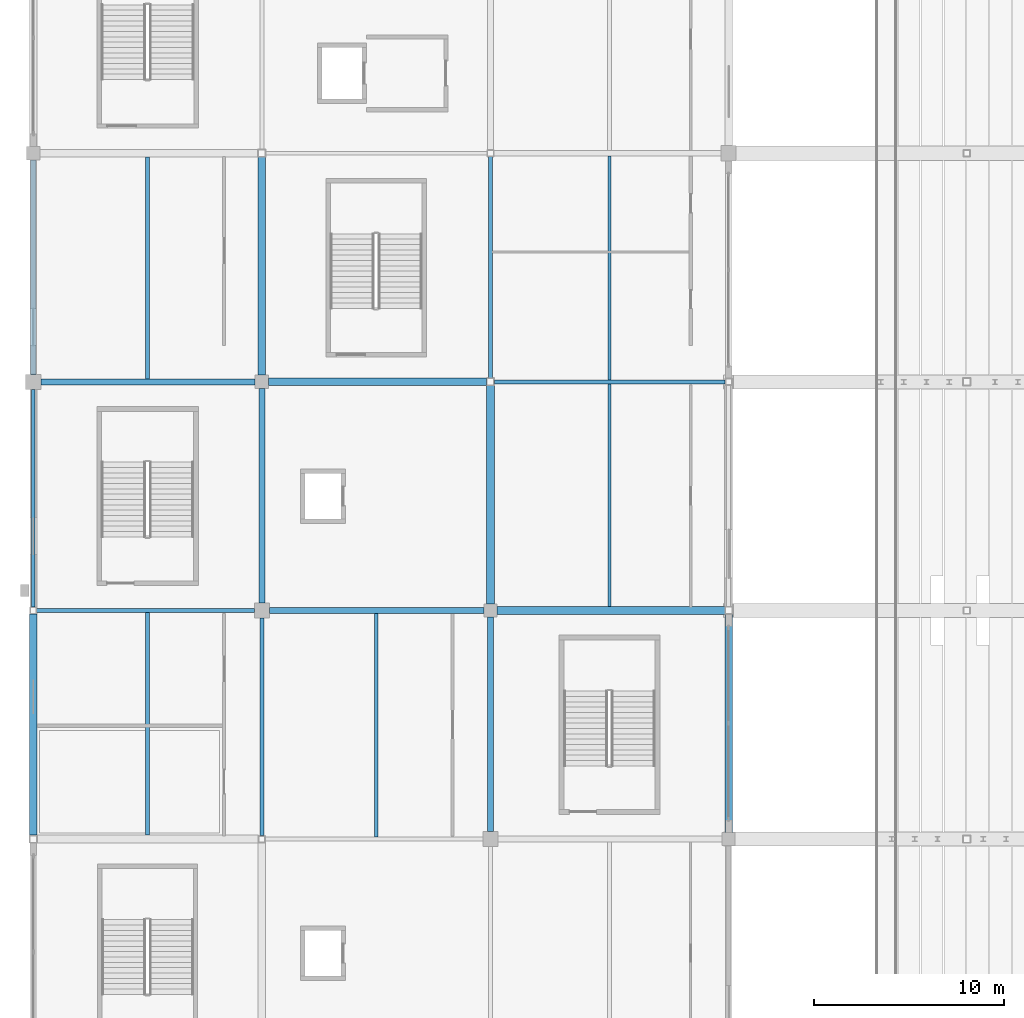
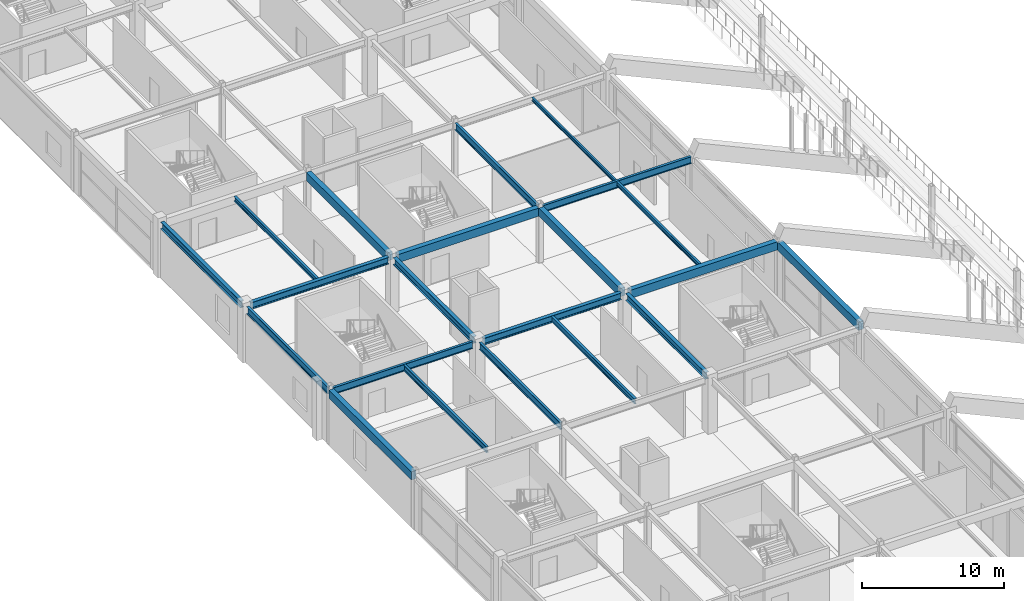
# One storey, part 37 of 128: 21 beams.
"""IFC4 building model written with IfcOpenShell, lengths in metres."""

import ifcopenshell
import ifcopenshell.guid

model = None  # the IFC model being written
_history = None  # IfcOwnerHistory: only IFC2X3 demands one
_inside = {}  # id of a spatial element -> (the spatial element, [elements in it])
_under = {}  # id of a project, library or spatial element -> (it, [spatial elements below it])
_declared = {}  # id of a project -> (the project, [libraries it declares])
_typed = {}  # id of a type object -> (the type object, [elements of that type])
_made_of = {}  # id of a material, layer set ... -> (it, [elements and type objects made of it])


def new_model(schema):
    """Start an empty IFC model of exactly this schema.

    Asked for "IFC4X3", IfcOpenShell would pick the latest addendum, in which some entities
    have other attributes; the version numbers below select the first issue.
    IFC2X3 requires an IfcOwnerHistory on every rooted entity: one is made here for all.
    """
    global model, _history
    if schema == "IFC4X3":
        model = ifcopenshell.file(schema_version=(4, 3, 0, 0))
    else:
        model = ifcopenshell.file(schema=schema)
    _inside.clear()
    _under.clear()
    _declared.clear()
    _typed.clear()
    _made_of.clear()
    _history = None
    if model.schema == "IFC2X3":
        org = make("IfcOrganization", Name="unknown")
        user = make(
            "IfcPersonAndOrganization",
            ThePerson=make("IfcPerson", FamilyName="unknown"),
            TheOrganization=org,
        )
        app = make(
            "IfcApplication",
            ApplicationDeveloper=org,
            Version="unknown",
            ApplicationFullName="unknown",
            ApplicationIdentifier="unknown",
        )
        _history = make(
            "IfcOwnerHistory",
            OwningUser=user,
            OwningApplication=app,
            ChangeAction="ADDED",
            CreationDate=0,
        )
    return model


def make(cls, **values):
    """One entity of the class cls with the attributes given. An attribute that is None is left unset."""
    return model.create_entity(
        cls, **{name: value for name, value in values.items() if value is not None}
    )


def rooted(cls, **values):
    """An entity with a GlobalId (a new one), such as an element, a storey or a relation."""
    return make(cls, GlobalId=ifcopenshell.guid.new(), OwnerHistory=_history, **values)


def si_unit(unit_type, name, prefix=None):
    """IfcSIUnit, for example si_unit("LENGTHUNIT", "METRE", prefix="MILLI")."""
    return make("IfcSIUnit", UnitType=unit_type, Prefix=prefix, Name=name)


def assignment(units):
    """IfcUnitAssignment: the units of a project."""
    return None if units is None else make("IfcUnitAssignment", Units=units)


def point(xyz):
    """IfcCartesianPoint."""
    return None if xyz is None else make("IfcCartesianPoint", Coordinates=xyz)


def direction(xyz):
    """IfcDirection."""
    return None if xyz is None else make("IfcDirection", DirectionRatios=xyz)


def frame(location, z_axis=None, x_axis=None):
    """IfcAxis2Placement3D, a coordinate frame: its origin and axes. An axis left out is left unset."""
    return make(
        "IfcAxis2Placement3D",
        Location=point(location),
        Axis=direction(z_axis),
        RefDirection=direction(x_axis),
    )


def frame_2d(location, x_axis=None):
    """IfcAxis2Placement2D, a coordinate frame in the plane: its origin and x axis."""
    return make(
        "IfcAxis2Placement2D", Location=point(location), RefDirection=direction(x_axis)
    )


def origin():
    """The frame at (0, 0, 0) with its axes left unset."""
    return frame((0.0, 0.0, 0.0))


def origin_2d():
    """The frame at (0, 0) in the plane with its x axis left unset."""
    return frame_2d((0.0, 0.0))


def place(relative_to, where):
    """IfcLocalPlacement: puts the frame where relative to a parent placement (None: the world)."""
    return make(
        "IfcLocalPlacement", PlacementRelTo=relative_to, RelativePlacement=where
    )


def context(
    kind, dimensions, precision=None, world=None, true_north=None, identifier=None
):
    """IfcGeometricRepresentationContext, for example the 3D "Model" context."""
    return make(
        "IfcGeometricRepresentationContext",
        ContextIdentifier=identifier,
        ContextType=kind,
        CoordinateSpaceDimension=dimensions,
        Precision=precision,
        WorldCoordinateSystem=world,
        TrueNorth=true_north,
    )


def subcontext(parent, identifier, kind, view, scale=None):
    """IfcGeometricRepresentationSubContext, for example "Body" below "Model"."""
    return make(
        "IfcGeometricRepresentationSubContext",
        ContextIdentifier=identifier,
        ContextType=kind,
        ParentContext=parent,
        TargetScale=scale,
        TargetView=view,
    )


def project(units=None, contexts=None):
    """IfcProject with its units and contexts."""
    return rooted(
        "IfcProject",
        Name="project",
        RepresentationContexts=contexts,
        UnitsInContext=assignment(units),
    )


def spatial(cls, under=None, at=None, **own):
    """A site, building, storey or space (cls), placed at a placement, below another one or the project."""
    s = rooted(cls, ObjectPlacement=at, **own)
    if under is not None:
        _under.setdefault(under.id(), (under, []))[1].append(s)
    return s


def profile(cls, at=None, kind="AREA", **sizes):
    """A parametric profile (cls). Its sizes go by their IFC names, for example OverallWidth=200.0."""
    return make(cls, ProfileType=kind, Position=at, **sizes)


def rectangle(**sizes):
    """IfcRectangleProfileDef."""
    return profile("IfcRectangleProfileDef", **sizes)


def i_section(**sizes):
    """IfcIShapeProfileDef."""
    return profile("IfcIShapeProfileDef", **sizes)


def extrude(swept, where, along, depth):
    """IfcExtrudedAreaSolid: the profile swept, set in the frame where, extruded along a direction by depth."""
    return make(
        "IfcExtrudedAreaSolid",
        SweptArea=swept,
        Position=where,
        ExtrudedDirection=direction(along),
        Depth=depth,
    )


def shape(context_of_items, identifier, shape_type, items):
    """IfcShapeRepresentation: the items that make up one representation, for example the "Body"."""
    return make(
        "IfcShapeRepresentation",
        ContextOfItems=context_of_items,
        RepresentationIdentifier=identifier,
        RepresentationType=shape_type,
        Items=items,
    )


def material(Name=None, Category=None):
    """IfcMaterial."""
    return make("IfcMaterial", Name=Name, Category=Category)


def material_profile(
    of_material, cross_section, Name=None, Category=None, Priority=None
):
    """IfcMaterialProfile: a cross section and its material."""
    return make(
        "IfcMaterialProfile",
        Name=Name,
        Material=of_material,
        Profile=cross_section,
        Priority=Priority,
        Category=Category,
    )


def profile_set(profiles, Name=None, composite=None):
    """IfcMaterialProfileSet."""
    return make(
        "IfcMaterialProfileSet",
        Name=Name,
        MaterialProfiles=profiles,
        CompositeProfile=composite,
    )


def made_of(thing, what):
    """Note that an element or type object is made of a material, layer set ...; save() writes the relation."""
    if what is not None:
        _made_of.setdefault(what.id(), (what, []))[1].append(thing)
    return thing


def type_object(cls, material=None, **own):
    """A type object (cls), such as IfcWallType, which elements share."""
    return made_of(rooted(cls, **own), material)


def element(
    cls,
    number,
    at=None,
    inside=None,
    cuts=None,
    type_object=None,
    material=None,
    context=None,
    identifier="Body",
    shape_type=None,
    held_by="IfcProductDefinitionShape",
    body=None,
    shapes=None,
    **own,
):
    """One element of the class cls, such as IfcWall. Its Tag is "e" and its number.

    at: its placement. inside: the storey or other place that contains it. cuts: it is an
    opening in that element (IfcRelVoidsElement). A single representation is given by context,
    identifier, shape_type and body (its items); several are given by shapes. held_by: the class
    of the entity that holds the representations. save() writes the other relations.
    """
    e = rooted(cls, Tag="e%d" % number, ObjectPlacement=at, **own)
    if body is not None:
        shapes = [shape(context, identifier, shape_type, body)]
    if shapes is not None:
        e.Representation = make(held_by, Representations=shapes)
    if inside is not None:
        _inside.setdefault(inside.id(), (inside, []))[1].append(e)
    if cuts is not None:
        rooted(
            "IfcRelVoidsElement", RelatingBuildingElement=cuts, RelatedOpeningElement=e
        )
    if type_object is not None:
        _typed.setdefault(type_object.id(), (type_object, []))[1].append(e)
    return made_of(e, material)


def aggregate(whole, parts):
    """IfcRelAggregates: a whole, such as a stair, and the parts it consists of."""
    return rooted("IfcRelAggregates", RelatingObject=whole, RelatedObjects=parts)


def save(model, path):
    """Write the relations noted so far, then the file.

    IfcRelAggregates (storeys below a building ...), IfcRelContainedInSpatialStructure (elements
    in a storey), IfcRelDefinesByType, IfcRelAssociatesMaterial and IfcRelDeclares: one each for
    every whole, place, type object, material and project.
    """
    for whole, parts in _under.values():
        aggregate(whole, parts)
    for where, things in _inside.values():
        rooted(
            "IfcRelContainedInSpatialStructure",
            RelatedElements=things,
            RelatingStructure=where,
        )
    for kind, things in _typed.values():
        rooted("IfcRelDefinesByType", RelatedObjects=things, RelatingType=kind)
    for what, things in _made_of.values():
        rooted("IfcRelAssociatesMaterial", RelatedObjects=things, RelatingMaterial=what)
    for by, libraries in _declared.values():
        rooted("IfcRelDeclares", RelatingContext=by, RelatedDefinitions=libraries)
    model.write(path)


model = new_model("IFC4")

# Units and contexts
model_context = context("Model", 3, precision=1e-05, world=origin(), true_north=direction((0.0, 1.0)))
body_context = subcontext(model_context, "Body", "Model", "MODEL_VIEW")
ifc_project = project(units=[si_unit("LENGTHUNIT", "METRE"), si_unit("AREAUNIT", "SQUARE_METRE"), si_unit("VOLUMEUNIT", "CUBIC_METRE"), si_unit("PLANEANGLEUNIT", "RADIAN"), si_unit("MASSUNIT", "GRAM", prefix="KILO")], contexts=[model_context])

# Site, building, storey
site_placement = place(None, origin())
site = spatial("IfcSite", under=ifc_project, at=site_placement, CompositionType="ELEMENT")
building_placement = place(site_placement, origin())
building = spatial("IfcBuilding", under=site, at=building_placement, Name="Kazenohara Klinker Stadium", CompositionType="ELEMENT")
storey_placement = place(building_placement, frame((0.0, 0.0, 15.300048828125)))
storey = spatial("IfcBuildingStorey", under=building, at=storey_placement, Name="L03", CompositionType="ELEMENT", Elevation=15.300048828125)

# Beams
ifc_material_1 = material(Name="Steel S355", Category="steel")
ifc_material_profile_1 = material_profile(ifc_material_1, i_section(OverallWidth=0.199951171875, OverallDepth=0.5, WebThickness=0.010009765625, FlangeThickness=0.01611328125, FilletRadius=0.012939453125, at=origin_2d()), Name="H-500x200x10x16")
ifc_profile_set_1 = profile_set([ifc_material_profile_1], Name="Steel S355")
beam_type_1 = type_object("IfcBeamType", Name="BM-JST01", PredefinedType="JOIST", material=ifc_profile_set_1)
beam_1_placement = place(storey_placement, frame((6.0, 72.199951171875, 4.510009765625), z_axis=(0.0, 1.0, 0.0), x_axis=(-1.0, 0.0, 0.0)))
element("IfcBeam", 1, at=beam_1_placement, inside=storey, type_object=beam_type_1, Name="Secondary floor joist SJ01 L03 1/G", PredefinedType="JOIST", context=body_context, shape_type="SweptSolid", body=[
    extrude(i_section(OverallWidth=0.199951171875, OverallDepth=0.5, WebThickness=0.010009765625, FlangeThickness=0.01611328125, FilletRadius=0.012939453125, at=origin_2d()), origin(), (0.0, 0.0, 1.0), 11.699951171875),
])
ifc_material_profile_2 = material_profile(ifc_material_1, i_section(OverallWidth=0.199951171875, OverallDepth=0.449951171875, WebThickness=0.009033203125, FlangeThickness=0.013916015625, FilletRadius=0.012939453125, at=origin_2d()), Name="H-450x200x9x14")
ifc_profile_set_2 = profile_set([ifc_material_profile_2], Name="Steel S355")
beam_type_2 = type_object("IfcBeamType", Name="BM-JST02", PredefinedType="JOIST", material=ifc_profile_set_2)
beam_2_placement = place(storey_placement, frame((18.0, 72.10009765625, 4.534912109375), z_axis=(0.0, 1.0, 0.0), x_axis=(-1.0, 0.0, 0.0)))
element("IfcBeam", 2, at=beam_2_placement, inside=storey, type_object=beam_type_2, Name="Secondary floor joist SJ02 L03 2/G", PredefinedType="JOIST", context=body_context, shape_type="SweptSolid", body=[
    extrude(i_section(OverallWidth=0.199951171875, OverallDepth=0.449951171875, WebThickness=0.009033203125, FlangeThickness=0.013916015625, FilletRadius=0.012939453125, at=origin_2d()), origin(), (0.0, 0.0, 1.0), 11.75),
])
ifc_material_profile_3 = material_profile(ifc_material_1, i_section(OverallWidth=0.199951171875, OverallDepth=0.39990234375, WebThickness=0.008056640625, FlangeThickness=0.012939453125, FilletRadius=0.012939453125, at=origin_2d()), Name="H-400x200x8x13")
ifc_profile_set_3 = profile_set([ifc_material_profile_3], Name="Steel S355")
beam_type_3 = type_object("IfcBeamType", Name="BM-JST03", PredefinedType="JOIST", material=ifc_profile_set_3)
beam_3_placement = place(storey_placement, frame((6.0, 96.14990234375, 4.56005859375), z_axis=(0.0, 1.0, 0.0), x_axis=(-1.0, 0.0, 0.0)))
element("IfcBeam", 3, at=beam_3_placement, inside=storey, type_object=beam_type_3, Name="Secondary floor joist SJ03 L03 1/J", PredefinedType="JOIST", context=body_context, shape_type="SweptSolid", body=[
    extrude(i_section(OverallWidth=0.199951171875, OverallDepth=0.39990234375, WebThickness=0.008056640625, FlangeThickness=0.012939453125, FilletRadius=0.012939453125, at=origin_2d()), origin(), (0.0, 0.0, 1.0), 11.650146484375),
])
ifc_material_profile_4 = material_profile(ifc_material_1, i_section(OverallWidth=0.175048828125, OverallDepth=0.35009765625, WebThickness=0.007080078125, FlangeThickness=0.010986328125, FilletRadius=0.012939453125, at=origin_2d()), Name="H-350x175x7x11")
ifc_profile_set_4 = profile_set([ifc_material_profile_4], Name="Steel S355")
beam_type_4 = type_object("IfcBeamType", Name="BM-JST04", PredefinedType="JOIST", material=ifc_profile_set_4)
beam_4_placement = place(storey_placement, frame((30.25, 84.199951171875, 4.5849609375), z_axis=(0.0, 1.0, 0.0), x_axis=(-1.0, 0.0, 0.0)))
element("IfcBeam", 4, at=beam_4_placement, inside=storey, type_object=beam_type_4, Name="Secondary floor joist SJ04 L03 3/H", PredefinedType="JOIST", context=body_context, shape_type="SweptSolid", body=[
    extrude(i_section(OverallWidth=0.175048828125, OverallDepth=0.35009765625, WebThickness=0.007080078125, FlangeThickness=0.010986328125, FilletRadius=0.012939453125, at=origin_2d()), origin(), (0.0, 0.0, 1.0), 11.699951171875),
])
ifc_material_profile_5 = material_profile(ifc_material_1, i_section(OverallWidth=0.14990234375, OverallDepth=0.300048828125, WebThickness=0.006591796875, FlangeThickness=0.009033203125, FilletRadius=0.012939453125, at=origin_2d()), Name="H-300x150x6.5x9")
ifc_profile_set_5 = profile_set([ifc_material_profile_5], Name="Steel S355")
beam_type_5 = type_object("IfcBeamType", Name="BM-JST05", PredefinedType="JOIST", material=ifc_profile_set_5)
beam_5_placement = place(storey_placement, frame((30.25, 96.10009765625, 4.60986328125), z_axis=(0.0, 1.0, 0.0), x_axis=(-1.0, 0.0, 0.0)))
element("IfcBeam", 5, at=beam_5_placement, inside=storey, type_object=beam_type_5, Name="Secondary floor joist SJ05 L03 3/J", PredefinedType="JOIST", context=body_context, shape_type="SweptSolid", body=[
    extrude(i_section(OverallWidth=0.14990234375, OverallDepth=0.300048828125, WebThickness=0.006591796875, FlangeThickness=0.009033203125, FilletRadius=0.012939453125, at=origin_2d()), origin(), (0.0, 0.0, 1.0), 11.75),
])
ifc_material_2 = material(Name="Concrete C40/50", Category="concrete")
ifc_material_profile_6 = material_profile(ifc_material_2, rectangle(XDim=0.39990234375, YDim=0.699951171875, at=origin_2d()), Name="RC-BM-400x700")
ifc_profile_set_6 = profile_set([ifc_material_profile_6], Name="Concrete C40/50")
beam_type_6 = type_object("IfcBeamType", Name="BM-RC04", PredefinedType="BEAM", material=ifc_profile_set_6)
beam_6_placement = place(storey_placement, frame((12.35009765625, 96.0, 4.409912109375), z_axis=(1.0, 0.0, 0.0), x_axis=(0.0, 1.0, 0.0)))
element("IfcBeam", 6, at=beam_6_placement, inside=storey, type_object=beam_type_6, Name="Primary girder BG04 L03 2-3/J", PredefinedType="BEAM", context=body_context, shape_type="SweptSolid", body=[
    extrude(rectangle(XDim=0.39990234375, YDim=0.699951171875, at=origin_2d()), origin(), (0.0, 0.0, 1.0), 11.449951171875),
])
beam_7_placement = place(storey_placement, frame((24.35009765625, 84.0, 4.409912109375), z_axis=(1.0, 0.0, 0.0), x_axis=(0.0, 1.0, 0.0)))
element("IfcBeam", 7, at=beam_7_placement, inside=storey, type_object=beam_type_6, Name="Primary girder BG04 L03 3-4/H", PredefinedType="BEAM", context=body_context, shape_type="SweptSolid", body=[
    extrude(rectangle(XDim=0.39990234375, YDim=0.699951171875, at=origin_2d()), origin(), (0.0, 0.0, 1.0), 11.949951171875),
])
beam_8_placement = place(storey_placement, frame((0.0, 72.199951171875, 4.409912109375), z_axis=(0.0, 1.0, 0.0), x_axis=(-1.0, 0.0, 0.0)))
element("IfcBeam", 8, at=beam_8_placement, inside=storey, type_object=beam_type_6, Name="Primary girder BG04 L03 1/G-H", PredefinedType="BEAM", context=body_context, shape_type="SweptSolid", body=[
    extrude(rectangle(XDim=0.39990234375, YDim=0.699951171875, at=origin_2d()), origin(), (0.0, 0.0, 1.0), 11.625),
])
for number, where, z_axis, x_axis, name in (
    (9, (12.0, 96.35009765625, 4.409912109375), (0.0, 1.0, 0.0), (-1.0, 0.0, 0.0), "Primary girder BG04 L03 2/J-K"),
    (10, (24.0, 84.35009765625, 4.409912109375), (0.0, 1.0, 0.0), (-1.0, 0.0, 0.0), "Primary girder BG04 L03 3/H-J"),
    (11, (36.5, 72.35009765625, 4.409912109375), (0.0, 1.0, 0.0), (-1.0, 0.0, 0.0), "Primary girder BG04 L03 4/G-H"),
):
    element("IfcBeam", number, at=place(storey_placement, frame(where, z_axis=z_axis, x_axis=x_axis)), inside=storey, type_object=beam_type_6, Name=name, PredefinedType="BEAM", context=body_context, shape_type="SweptSolid", body=[
        extrude(rectangle(XDim=0.39990234375, YDim=0.699951171875, at=origin_2d()), origin(), (0.0, 0.0, 1.0), 11.449951171875),
    ])
ifc_material_profile_7 = material_profile(ifc_material_1, i_section(OverallWidth=0.199951171875, OverallDepth=0.60009765625, WebThickness=0.010986328125, FlangeThickness=0.01708984375, FilletRadius=0.012939453125, at=origin_2d()), Name="H-600x200x11x17")
ifc_profile_set_7 = profile_set([ifc_material_profile_7], Name="Steel S355")
beam_type_7 = type_object("IfcBeamType", Name="BM-ST04", PredefinedType="BEAM", material=ifc_profile_set_7)
beam_9_placement = place(storey_placement, frame((0.175048828125, 84.0, 4.4599609375), z_axis=(1.0, 0.0, 0.0), x_axis=(0.0, 1.0, 0.0)))
element("IfcBeam", 12, at=beam_9_placement, inside=storey, type_object=beam_type_7, Name="Primary girder SB04 L03 1-2/H", PredefinedType="BEAM", context=body_context, shape_type="SweptSolid", body=[
    extrude(i_section(OverallWidth=0.199951171875, OverallDepth=0.60009765625, WebThickness=0.010986328125, FlangeThickness=0.01708984375, FilletRadius=0.012939453125, at=origin_2d()), origin(), (0.0, 0.0, 1.0), 11.425048828125),
])
beam_10_placement = place(storey_placement, frame((24.199951171875, 96.0, 4.4599609375), z_axis=(1.0, 0.0, 0.0), x_axis=(0.0, 1.0, 0.0)))
element("IfcBeam", 13, at=beam_10_placement, inside=storey, type_object=beam_type_7, Name="Primary girder SB04 L03 3-4/J", PredefinedType="BEAM", context=body_context, shape_type="SweptSolid", body=[
    extrude(i_section(OverallWidth=0.199951171875, OverallDepth=0.60009765625, WebThickness=0.010986328125, FlangeThickness=0.01708984375, FilletRadius=0.012939453125, at=origin_2d()), origin(), (0.0, 0.0, 1.0), 12.125),
])
for number, where, z_axis, x_axis, name in (
    (14, (0.0, 84.175048828125, 4.4599609375), (0.0, 1.0, 0.0), (-1.0, 0.0, 0.0), "Primary girder SB04 L03 1/H-J"),
    (15, (12.0, 72.175048828125, 4.4599609375), (0.0, 1.0, 0.0), (-1.0, 0.0, 0.0), "Primary girder SB04 L03 2/G-H"),
):
    element("IfcBeam", number, at=place(storey_placement, frame(where, z_axis=z_axis, x_axis=x_axis)), inside=storey, type_object=beam_type_7, Name=name, PredefinedType="BEAM", context=body_context, shape_type="SweptSolid", body=[
        extrude(i_section(OverallWidth=0.199951171875, OverallDepth=0.60009765625, WebThickness=0.010986328125, FlangeThickness=0.01708984375, FilletRadius=0.012939453125, at=origin_2d()), origin(), (0.0, 0.0, 1.0), 11.425048828125),
    ])
beam_11_placement = place(storey_placement, frame((24.0, 96.199951171875, 4.4599609375), z_axis=(0.0, 1.0, 0.0), x_axis=(-1.0, 0.0, 0.0)))
element("IfcBeam", 16, at=beam_11_placement, inside=storey, type_object=beam_type_7, Name="Primary girder SB04 L03 3/J-K", PredefinedType="BEAM", context=body_context, shape_type="SweptSolid", body=[
    extrude(i_section(OverallWidth=0.199951171875, OverallDepth=0.60009765625, WebThickness=0.010986328125, FlangeThickness=0.01708984375, FilletRadius=0.012939453125, at=origin_2d()), origin(), (0.0, 0.0, 1.0), 11.625),
])
ifc_material_profile_8 = material_profile(ifc_material_1, i_section(OverallWidth=0.300048828125, OverallDepth=0.587890625, WebThickness=0.011962890625, FlangeThickness=0.02001953125, FilletRadius=0.02197265625, at=origin_2d()), Name="H-588x300x12x20")
ifc_profile_set_8 = profile_set([ifc_material_profile_8], Name="Steel S355")
beam_type_8 = type_object("IfcBeamType", Name="BM-ST05", PredefinedType="BEAM", material=ifc_profile_set_8)
for number, where, z_axis, x_axis, name in (
    (17, (0.39990234375, 96.0, 4.466064453125), (1.0, 0.0, 0.0), (0.0, 1.0, 0.0), "Primary girder SB05 L03 1-2/J"),
    (18, (12.39990234375, 84.0, 4.466064453125), (1.0, 0.0, 0.0), (0.0, 1.0, 0.0), "Primary girder SB05 L03 2-3/H"),
    (19, (0.0, 96.39990234375, 4.466064453125), (0.0, 1.0, 0.0), (-1.0, 0.0, 0.0), "Primary girder SB05 L03 1/J-K"),
    (20, (12.0, 84.39990234375, 4.466064453125), (0.0, 1.0, 0.0), (-1.0, 0.0, 0.0), "Primary girder SB05 L03 2/H-J"),
    (21, (24.0, 72.39990234375, 4.466064453125), (0.0, 1.0, 0.0), (-1.0, 0.0, 0.0), "Primary girder SB05 L03 3/G-H"),
):
    element("IfcBeam", number, at=place(storey_placement, frame(where, z_axis=z_axis, x_axis=x_axis)), inside=storey, type_object=beam_type_8, Name=name, PredefinedType="BEAM", context=body_context, shape_type="SweptSolid", body=[
        extrude(i_section(OverallWidth=0.300048828125, OverallDepth=0.587890625, WebThickness=0.011962890625, FlangeThickness=0.02001953125, FilletRadius=0.02197265625, at=origin_2d()), origin(), (0.0, 0.0, 1.0), 11.25),
    ])

save(model, "model.ifc")
